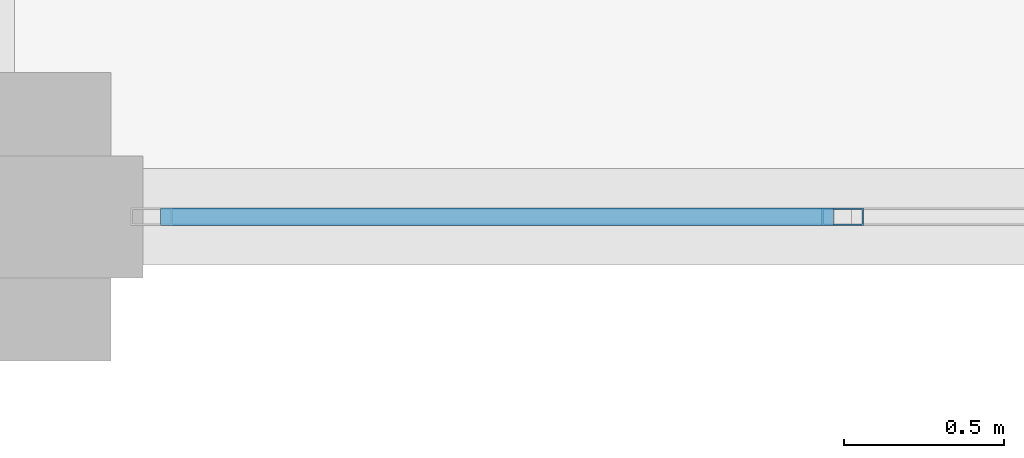
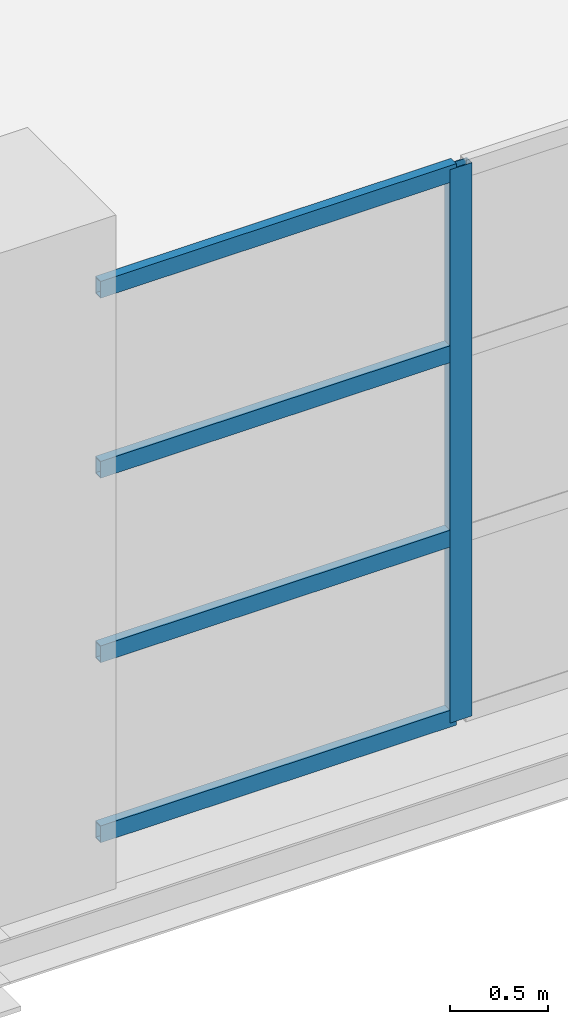
# One storey, part 104 of 158: 5 members, 1 element without a shape of its own.
"""IFC4 building model written with IfcOpenShell, lengths in metres."""

from ifc_helpers import new_model, si_unit, direction, frame, origin, origin_2d, place, context, subcontext, project, spatial, hollow_rectangle, extrude, material, layer, layer_set, material_profile, profile_set, type_object, element, aggregate, save


model = new_model("IFC4")

# Units and contexts
model_context = context("Model", 3, precision=1e-05, world=origin(), true_north=direction((0.0, 1.0)))
body_context = subcontext(model_context, "Body", "Model", "MODEL_VIEW")
ifc_project = project(units=[si_unit("LENGTHUNIT", "METRE"), si_unit("AREAUNIT", "SQUARE_METRE"), si_unit("VOLUMEUNIT", "CUBIC_METRE"), si_unit("PLANEANGLEUNIT", "RADIAN"), si_unit("MASSUNIT", "GRAM", prefix="KILO")], contexts=[model_context])

# Site, building, storey
site_placement = place(None, origin())
site = spatial("IfcSite", under=ifc_project, at=site_placement, CompositionType="ELEMENT")
building_placement = place(site_placement, origin())
building = spatial("IfcBuilding", under=site, at=building_placement, Name="Zilviju Railside Exhibition Hall", CompositionType="ELEMENT")
storey_placement = place(building_placement, frame((0.0, 0.0, 4.199951171875)))
storey = spatial("IfcBuildingStorey", under=building, at=storey_placement, Name="L02", CompositionType="ELEMENT", Elevation=4.199951171875)

# Curtain wall, members
ifc_material_1 = material(Name="Thermally broken aluminium-steel triple-glazed curtain wall", Category="steel")
ifc_layer = layer(ifc_material_1, 0.179931640625)
ifc_layer_set = layer_set([ifc_layer], Name="Thermally broken aluminium-steel triple-glazed curtain wall")
curtain_wall_type = type_object("IfcCurtainWallType", Name="CW-BAY-12", PredefinedType="USERDEFINED", material=ifc_layer_set)
curtain_wall_placement = place(storey_placement, origin())
curtain_wall = element("IfcCurtainWall", 1, at=curtain_wall_placement, inside=storey, type_object=curtain_wall_type, Name="North Hall Garden Court Curtain Wall L02 (204..216)", ObjectType="GLAZED CURTAIN WALL", PredefinedType="USERDEFINED")
ifc_material_2 = material(Name="Thermally broken anodized aluminium mullion", Category="aluminium")
ifc_material_profile_1 = material_profile(ifc_material_2, hollow_rectangle(XDim=0.054931640625, YDim=0.1298828125, WallThickness=0.0048828125, at=origin_2d()), Name="MULLION 130x55x5")
ifc_profile_set_1 = profile_set([ifc_material_profile_1], Name="Thermally broken anodized aluminium mullion")
member_type_1 = type_object("IfcMemberType", Name="CWM-55x130", PredefinedType="MULLION", material=ifc_profile_set_1)
member_1_placement = place(storey_placement, frame((206.72998046875, 84.0, 0.0), z_axis=(0.0, 0.0, 1.0), x_axis=(0.0, -1.0, 0.0)))
member_1 = element("IfcMember", 2, at=member_1_placement, type_object=member_type_1, Name="CW-12 mullion 5", PredefinedType="MULLION", context=body_context, shape_type="SweptSolid", body=[
    extrude(hollow_rectangle(XDim=0.054931640625, YDim=0.1298828125, WallThickness=0.0048828125, at=origin_2d()), origin(), (0.0, 0.0, 1.0), 3.449951171875),
])
ifc_material_3 = material(Name="Thermally broken anodized aluminium transom", Category="aluminium")
ifc_material_profile_2 = material_profile(ifc_material_3, hollow_rectangle(XDim=0.054931640625, YDim=0.10498046875, WallThickness=0.0048828125, at=origin_2d()), Name="TRANSOM 105x55x5")
ifc_profile_set_2 = profile_set([ifc_material_profile_2], Name="Thermally broken anodized aluminium transom")
member_type_2 = type_object("IfcMemberType", Name="CWT-55x105", PredefinedType="USERDEFINED", material=ifc_profile_set_2)
member_2_placement = place(storey_placement, frame((206.702392578125, 84.0, 0.027587890625), z_axis=(-1.0, 0.0, 0.0), x_axis=(0.0, -1.0, 0.0)))
member_2 = element("IfcMember", 3, at=member_2_placement, type_object=member_type_2, Name="CW-12 transom 5.1", ObjectType="TRANSOM", PredefinedType="USERDEFINED", context=body_context, shape_type="SweptSolid", body=[
    extrude(hollow_rectangle(XDim=0.054931640625, YDim=0.10498046875, WallThickness=0.0048828125, at=origin_2d()), origin(), (0.0, 0.0, 1.0), 2.097412109375),
])
member_3_placement = place(storey_placement, frame((206.702392578125, 84.0, 1.150146484375), z_axis=(-1.0, 0.0, 0.0), x_axis=(0.0, -1.0, 0.0)))
member_3 = element("IfcMember", 4, at=member_3_placement, type_object=member_type_2, Name="CW-12 transom 5.2", ObjectType="TRANSOM", PredefinedType="USERDEFINED", context=body_context, shape_type="SweptSolid", body=[
    extrude(hollow_rectangle(XDim=0.054931640625, YDim=0.10498046875, WallThickness=0.0048828125, at=origin_2d()), origin(), (0.0, 0.0, 1.0), 2.097412109375),
])
member_4_placement = place(storey_placement, frame((206.702392578125, 84.0, 2.300048828125), z_axis=(-1.0, 0.0, 0.0), x_axis=(0.0, -1.0, 0.0)))
member_4 = element("IfcMember", 5, at=member_4_placement, type_object=member_type_2, Name="CW-12 transom 5.3", ObjectType="TRANSOM", PredefinedType="USERDEFINED", context=body_context, shape_type="SweptSolid", body=[
    extrude(hollow_rectangle(XDim=0.054931640625, YDim=0.10498046875, WallThickness=0.0048828125, at=origin_2d()), origin(), (0.0, 0.0, 1.0), 2.097412109375),
])
member_5_placement = place(storey_placement, frame((206.702392578125, 84.0, 3.422607421875), z_axis=(-1.0, 0.0, 0.0), x_axis=(0.0, -1.0, 0.0)))
member_5 = element("IfcMember", 6, at=member_5_placement, type_object=member_type_2, Name="CW-12 transom 5.4", ObjectType="TRANSOM", PredefinedType="USERDEFINED", context=body_context, shape_type="SweptSolid", body=[
    extrude(hollow_rectangle(XDim=0.054931640625, YDim=0.10498046875, WallThickness=0.0048828125, at=origin_2d()), origin(), (0.0, 0.0, 1.0), 2.097412109375),
])
aggregate(curtain_wall, [member_1, member_2, member_3, member_4, member_5])

save(model, "model.ifc")
